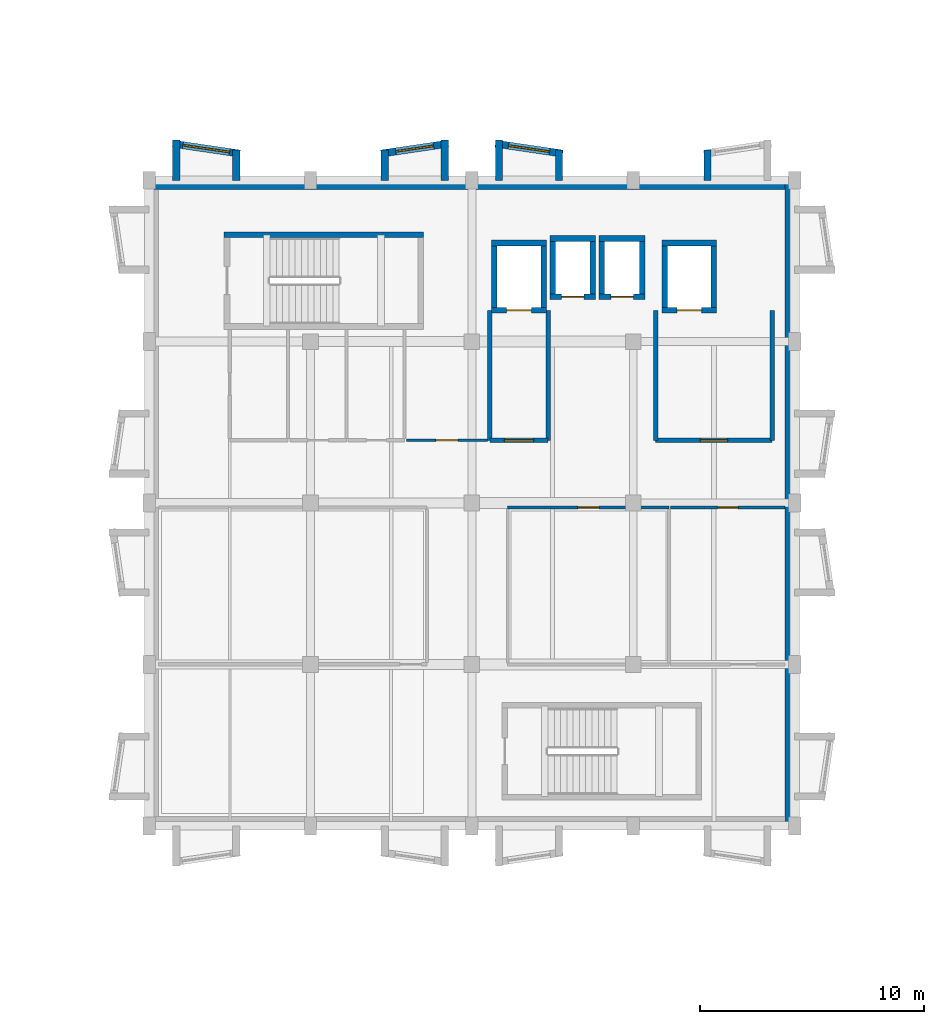
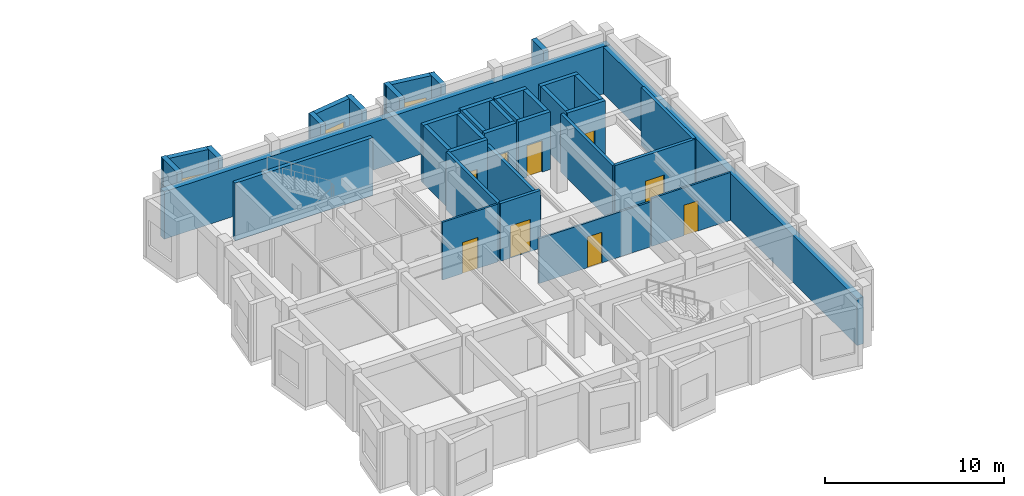
# One storey, part 91 of 99: 38 walls, 9 doors, 3 windows, 12 openings.
"""IFC4 building model written with IfcOpenShell, lengths in metres."""

from ifc_helpers import new_model, si_unit, direction, frame, frame_2d, origin, place, context, subcontext, project, spatial, rectangle, extrude, material, layer, layer_set, type_object, element, fill, save


model = new_model("IFC4")

# Units and contexts
model_context = context("Model", 3, precision=1e-05, world=origin(), true_north=direction((0.0, 1.0)))
body_context = subcontext(model_context, "Body", "Model", "MODEL_VIEW")
ifc_project = project(units=[si_unit("LENGTHUNIT", "METRE"), si_unit("AREAUNIT", "SQUARE_METRE"), si_unit("VOLUMEUNIT", "CUBIC_METRE"), si_unit("PLANEANGLEUNIT", "RADIAN"), si_unit("MASSUNIT", "GRAM", prefix="KILO")], contexts=[model_context])

# Site, building, storey
site_placement = place(None, origin())
site = spatial("IfcSite", under=ifc_project, at=site_placement, CompositionType="ELEMENT")
building_placement = place(site_placement, origin())
building = spatial("IfcBuilding", under=site, at=building_placement, Name="Bramveld Media Centre", CompositionType="ELEMENT")
storey_placement = place(building_placement, frame((0.0, 0.0, 13.800048828125)))
storey = spatial("IfcBuildingStorey", under=building, at=storey_placement, Name="L03", CompositionType="ELEMENT", Elevation=13.800048828125)

# Wall
ifc_material_1 = material(Name="Concrete C40/50 stair & lift core wall", Category="concrete")
ifc_layer_1 = layer(ifc_material_1, 0.25)
ifc_layer_set_1 = layer_set([ifc_layer_1], Name="Concrete C40/50 stair & lift core wall")
wall_type_1 = type_object("IfcWallType", Name="CWALL-SHEAR-250", PredefinedType="SHEAR", material=ifc_layer_set_1)
wall_1_placement = place(storey_placement, frame((143.449951171875, 109.574951171875, 0.0), z_axis=(0.0, 0.0, 1.0), x_axis=(-1.0, 0.0, 0.0)))
element("IfcWall", 1, at=wall_1_placement, inside=storey, type_object=wall_type_1, Name="ST-01 L03 stair core shear wall N", PredefinedType="SHEAR", context=body_context, shape_type="SweptSolid", body=[
    extrude(rectangle(XDim=8.89990234375, YDim=0.25, at=frame_2d((4.449951171875, 0.0))), origin(), (0.0, 0.0, 1.0), 3.949951171875),
])

# Wall, opening, door
wall_2_placement = place(storey_placement, frame((146.47509765625, 106.199951171875, 0.0), z_axis=(0.0, 0.0, 1.0), x_axis=(1.0, 0.0, 0.0)))
wall_2 = element("IfcWall", 2, at=wall_2_placement, inside=storey, type_object=wall_type_1, Name="FL-01 L03 lift shaft wall S", PredefinedType="SHEAR", context=body_context, shape_type="SweptSolid", body=[
    extrude(rectangle(XDim=2.449951171875, YDim=0.25, at=frame_2d((1.22509765625, 0.0))), origin(), (0.0, 0.0, 1.0), 3.949951171875),
])
opening_1_placement = place(wall_2_placement, frame((0.675048828125, 0.0, 0.0)))
opening_1 = element("IfcOpeningElement", 3, at=opening_1_placement, cuts=wall_2, Name="Opening LD-01-01-L03", PredefinedType="OPENING", context=body_context, shape_type="SweptSolid", body=[
    extrude(rectangle(XDim=1.10009765625, YDim=2.14990234375, at=frame_2d((0.550048828125, 1.074951171875))), frame((0.0, 0.136962890625, 0.0), z_axis=(0.0, -1.0, 0.0), x_axis=(1.0, 0.0, 0.0)), (0.0, 0.0, 1.0), 0.27392578125),
])
ifc_material_2 = material(Name="Brushed stainless steel automatic fire-rated sliding lift landing door", Category="steel")
door_type_1 = type_object("IfcDoorType", Name="LD-TYPE-01", OperationType="SLIDING_TO_LEFT", PredefinedType="DOOR", material=ifc_material_2)
door_1_placement = place(opening_1_placement, origin())
door_1 = element("IfcDoor", 4, at=door_1_placement, inside=storey, type_object=door_type_1, Name="FL-01 L03 sliding lift landing door", OperationType="SLIDING_TO_LEFT", OverallHeight=2.14990234375, OverallWidth=1.10009765625, PredefinedType="DOOR", context=body_context, shape_type="SweptSolid", body=[
    extrude(rectangle(XDim=1.10009765625, YDim=2.14990234375, at=frame_2d((0.550048828125, 1.074951171875))), frame((0.0, 0.02490234375, 0.0), z_axis=(0.0, -1.0, 0.0), x_axis=(1.0, 0.0, 0.0)), (0.0, 0.0, 1.0), 0.050048828125),
])
fill(opening_1, door_1)

# Walls
wall_3_placement = place(storey_placement, frame((148.925048828125, 109.199951171875, 0.0), z_axis=(0.0, 0.0, 1.0), x_axis=(-1.0, 0.0, 0.0)))
element("IfcWall", 5, at=wall_3_placement, inside=storey, type_object=wall_type_1, Name="FL-01 L03 lift shaft wall N", PredefinedType="SHEAR", context=body_context, shape_type="SweptSolid", body=[
    extrude(rectangle(XDim=2.449951171875, YDim=0.25, at=frame_2d((1.22509765625, 0.0))), origin(), (0.0, 0.0, 1.0), 3.949951171875),
])
for number, where, z_axis, x_axis, name in (
    (6, (146.60009765625, 109.199951171875, 0.0), (0.0, 0.0, 1.0), (0.0, -1.0, 0.0), "FL-01 L03 lift shaft wall W"),
    (7, (148.800048828125, 106.199951171875, 0.0), (0.0, 0.0, 1.0), (0.0, 1.0, 0.0), "FL-01 L03 lift shaft wall E"),
):
    element("IfcWall", number, at=place(storey_placement, frame(where, z_axis=z_axis, x_axis=x_axis)), inside=storey, type_object=wall_type_1, Name=name, PredefinedType="SHEAR", context=body_context, shape_type="SweptSolid", body=[
        extrude(rectangle(XDim=3.0, YDim=0.25, at=frame_2d((1.5, 0.0))), origin(), (0.0, 0.0, 1.0), 3.949951171875),
    ])

# Wall, opening, door
wall_4_placement = place(storey_placement, frame((154.074951171875, 106.199951171875, 0.0), z_axis=(0.0, 0.0, 1.0), x_axis=(1.0, 0.0, 0.0)))
wall_4 = element("IfcWall", 8, at=wall_4_placement, inside=storey, type_object=wall_type_1, Name="FL-02 L03 lift shaft wall S", PredefinedType="SHEAR", context=body_context, shape_type="SweptSolid", body=[
    extrude(rectangle(XDim=2.449951171875, YDim=0.25, at=frame_2d((1.22509765625, 0.0))), origin(), (0.0, 0.0, 1.0), 3.949951171875),
])
opening_2_placement = place(wall_4_placement, frame((0.675048828125, 0.0, 0.0)))
opening_2 = element("IfcOpeningElement", 9, at=opening_2_placement, cuts=wall_4, Name="Opening LD-01-02-L03", PredefinedType="OPENING", context=body_context, shape_type="SweptSolid", body=[
    extrude(rectangle(XDim=1.10009765625, YDim=2.14990234375, at=frame_2d((0.550048828125, 1.074951171875))), frame((0.0, 0.136962890625, 0.0), z_axis=(0.0, -1.0, 0.0), x_axis=(1.0, 0.0, 0.0)), (0.0, 0.0, 1.0), 0.27392578125),
])
door_2_placement = place(opening_2_placement, origin())
door_2 = element("IfcDoor", 10, at=door_2_placement, inside=storey, type_object=door_type_1, Name="FL-02 L03 sliding lift landing door", OperationType="SLIDING_TO_LEFT", OverallHeight=2.14990234375, OverallWidth=1.10009765625, PredefinedType="DOOR", context=body_context, shape_type="SweptSolid", body=[
    extrude(rectangle(XDim=1.10009765625, YDim=2.14990234375, at=frame_2d((0.550048828125, 1.074951171875))), frame((0.0, 0.02490234375, 0.0), z_axis=(0.0, -1.0, 0.0), x_axis=(1.0, 0.0, 0.0)), (0.0, 0.0, 1.0), 0.050048828125),
])
fill(opening_2, door_2)

# Walls
wall_5_placement = place(storey_placement, frame((156.52490234375, 109.199951171875, 0.0), z_axis=(0.0, 0.0, 1.0), x_axis=(-1.0, 0.0, 0.0)))
element("IfcWall", 11, at=wall_5_placement, inside=storey, type_object=wall_type_1, Name="FL-02 L03 lift shaft wall N", PredefinedType="SHEAR", context=body_context, shape_type="SweptSolid", body=[
    extrude(rectangle(XDim=2.449951171875, YDim=0.25, at=frame_2d((1.22509765625, 0.0))), origin(), (0.0, 0.0, 1.0), 3.949951171875),
])
for number, where, z_axis, x_axis, name in (
    (12, (154.199951171875, 109.199951171875, 0.0), (0.0, 0.0, 1.0), (0.0, -1.0, 0.0), "FL-02 L03 lift shaft wall W"),
    (13, (156.39990234375, 106.199951171875, 0.0), (0.0, 0.0, 1.0), (0.0, 1.0, 0.0), "FL-02 L03 lift shaft wall E"),
):
    element("IfcWall", number, at=place(storey_placement, frame(where, z_axis=z_axis, x_axis=x_axis)), inside=storey, type_object=wall_type_1, Name=name, PredefinedType="SHEAR", context=body_context, shape_type="SweptSolid", body=[
        extrude(rectangle(XDim=3.0, YDim=0.25, at=frame_2d((1.5, 0.0))), origin(), (0.0, 0.0, 1.0), 3.949951171875),
    ])

# Wall, opening, door
wall_6_placement = place(storey_placement, frame((149.074951171875, 106.800048828125, 0.0), z_axis=(0.0, 0.0, 1.0), x_axis=(1.0, 0.0, 0.0)))
wall_6 = element("IfcWall", 14, at=wall_6_placement, inside=storey, type_object=wall_type_1, Name="PL-01 L03 lift shaft wall S", PredefinedType="SHEAR", context=body_context, shape_type="SweptSolid", body=[
    extrude(rectangle(XDim=2.050048828125, YDim=0.25, at=frame_2d((1.02490234375, 0.0))), origin(), (0.0, 0.0, 1.0), 3.949951171875),
])
opening_3_placement = place(wall_6_placement, frame((0.52490234375, 0.0, 0.0)))
opening_3 = element("IfcOpeningElement", 15, at=opening_3_placement, cuts=wall_6, Name="Opening LD-02-01-L03", PredefinedType="OPENING", context=body_context, shape_type="SweptSolid", body=[
    extrude(rectangle(XDim=1.0, YDim=2.14990234375, at=frame_2d((0.5, 1.074951171875))), frame((0.0, 0.136962890625, 0.0), z_axis=(0.0, -1.0, 0.0), x_axis=(1.0, 0.0, 0.0)), (0.0, 0.0, 1.0), 0.27392578125),
])
ifc_material_3 = material(Name="Brushed stainless steel automatic fire-rated sliding lift landing door", Category="steel")
door_type_2 = type_object("IfcDoorType", Name="LD-TYPE-02", OperationType="SLIDING_TO_LEFT", PredefinedType="DOOR", material=ifc_material_3)
door_3_placement = place(opening_3_placement, origin())
door_3 = element("IfcDoor", 16, at=door_3_placement, inside=storey, type_object=door_type_2, Name="PL-01 L03 sliding lift landing door", OperationType="SLIDING_TO_LEFT", OverallHeight=2.14990234375, OverallWidth=1.0, PredefinedType="DOOR", context=body_context, shape_type="SweptSolid", body=[
    extrude(rectangle(XDim=1.0, YDim=2.14990234375, at=frame_2d((0.5, 1.074951171875))), frame((0.0, 0.02490234375, 0.0), z_axis=(0.0, -1.0, 0.0), x_axis=(1.0, 0.0, 0.0)), (0.0, 0.0, 1.0), 0.050048828125),
])
fill(opening_3, door_3)

# Walls
wall_7_placement = place(storey_placement, frame((151.125, 109.39990234375, 0.0), z_axis=(0.0, 0.0, 1.0), x_axis=(-1.0, 0.0, 0.0)))
element("IfcWall", 17, at=wall_7_placement, inside=storey, type_object=wall_type_1, Name="PL-01 L03 lift shaft wall N", PredefinedType="SHEAR", context=body_context, shape_type="SweptSolid", body=[
    extrude(rectangle(XDim=2.050048828125, YDim=0.25, at=frame_2d((1.02490234375, 0.0))), origin(), (0.0, 0.0, 1.0), 3.949951171875),
])
for number, where, z_axis, x_axis, name in (
    (18, (149.199951171875, 109.39990234375, 0.0), (0.0, 0.0, 1.0), (0.0, -1.0, 0.0), "PL-01 L03 lift shaft wall W"),
    (19, (151.0, 106.800048828125, 0.0), (0.0, 0.0, 1.0), (0.0, 1.0, 0.0), "PL-01 L03 lift shaft wall E"),
):
    element("IfcWall", number, at=place(storey_placement, frame(where, z_axis=z_axis, x_axis=x_axis)), inside=storey, type_object=wall_type_1, Name=name, PredefinedType="SHEAR", context=body_context, shape_type="SweptSolid", body=[
        extrude(rectangle(XDim=2.599853515625, YDim=0.25, at=frame_2d((1.2998046875, 0.0))), origin(), (0.0, 0.0, 1.0), 3.949951171875),
    ])

# Wall, opening, door
wall_8_placement = place(storey_placement, frame((151.27490234375, 106.800048828125, 0.0), z_axis=(0.0, 0.0, 1.0), x_axis=(1.0, 0.0, 0.0)))
wall_8 = element("IfcWall", 20, at=wall_8_placement, inside=storey, type_object=wall_type_1, Name="PL-02 L03 lift shaft wall S", PredefinedType="SHEAR", context=body_context, shape_type="SweptSolid", body=[
    extrude(rectangle(XDim=2.050048828125, YDim=0.25, at=frame_2d((1.02490234375, 0.0))), origin(), (0.0, 0.0, 1.0), 3.949951171875),
])
opening_4_placement = place(wall_8_placement, frame((0.52490234375, 0.0, 0.0)))
opening_4 = element("IfcOpeningElement", 21, at=opening_4_placement, cuts=wall_8, Name="Opening LD-02-02-L03", PredefinedType="OPENING", context=body_context, shape_type="SweptSolid", body=[
    extrude(rectangle(XDim=1.0, YDim=2.14990234375, at=frame_2d((0.5, 1.074951171875))), frame((0.0, 0.136962890625, 0.0), z_axis=(0.0, -1.0, 0.0), x_axis=(1.0, 0.0, 0.0)), (0.0, 0.0, 1.0), 0.27392578125),
])
door_4_placement = place(opening_4_placement, origin())
door_4 = element("IfcDoor", 22, at=door_4_placement, inside=storey, type_object=door_type_2, Name="PL-02 L03 sliding lift landing door", OperationType="SLIDING_TO_LEFT", OverallHeight=2.14990234375, OverallWidth=1.0, PredefinedType="DOOR", context=body_context, shape_type="SweptSolid", body=[
    extrude(rectangle(XDim=1.0, YDim=2.14990234375, at=frame_2d((0.5, 1.074951171875))), frame((0.0, 0.02490234375, 0.0), z_axis=(0.0, -1.0, 0.0), x_axis=(1.0, 0.0, 0.0)), (0.0, 0.0, 1.0), 0.050048828125),
])
fill(opening_4, door_4)

# Walls
wall_9_placement = place(storey_placement, frame((153.324951171875, 109.39990234375, 0.0), z_axis=(0.0, 0.0, 1.0), x_axis=(-1.0, 0.0, 0.0)))
element("IfcWall", 23, at=wall_9_placement, inside=storey, type_object=wall_type_1, Name="PL-02 L03 lift shaft wall N", PredefinedType="SHEAR", context=body_context, shape_type="SweptSolid", body=[
    extrude(rectangle(XDim=2.050048828125, YDim=0.25, at=frame_2d((1.02490234375, 0.0))), origin(), (0.0, 0.0, 1.0), 3.949951171875),
])
for number, where, z_axis, x_axis, name in (
    (24, (151.39990234375, 109.39990234375, 0.0), (0.0, 0.0, 1.0), (0.0, -1.0, 0.0), "PL-02 L03 lift shaft wall W"),
    (25, (153.199951171875, 106.800048828125, 0.0), (0.0, 0.0, 1.0), (0.0, 1.0, 0.0), "PL-02 L03 lift shaft wall E"),
):
    element("IfcWall", number, at=place(storey_placement, frame(where, z_axis=z_axis, x_axis=x_axis)), inside=storey, type_object=wall_type_1, Name=name, PredefinedType="SHEAR", context=body_context, shape_type="SweptSolid", body=[
        extrude(rectangle(XDim=2.599853515625, YDim=0.25, at=frame_2d((1.2998046875, 0.0))), origin(), (0.0, 0.0, 1.0), 3.949951171875),
    ])
ifc_material_4 = material(Name="Flemish red-brown clay facing brick cavity wall with concrete C35/45 inner leaf", Category="masonry")
ifc_layer_2 = layer(ifc_material_4, 0.419921875)
ifc_layer_set_2 = layer_set([ifc_layer_2], Name="Flemish red-brown clay facing brick cavity wall with concrete C35/45 inner leaf")
wall_type_2 = type_object("IfcWallType", Name="EW-BRK-420", PredefinedType="SOLIDWALL", material=ifc_layer_set_2)
wall_10_placement = place(storey_placement, frame((159.7900390625, 112.0, 0.0), z_axis=(0.0, 0.0, 1.0), x_axis=(0.0, -1.0, 0.0)))
element("IfcWall", 26, at=wall_10_placement, inside=storey, type_object=wall_type_2, Name="V7 L03 E facing brick exterior wall", PredefinedType="SOLIDWALL", context=body_context, shape_type="SweptSolid", body=[
    extrude(rectangle(XDim=28.800048828125, YDim=0.419921875, at=frame_2d((14.39990234375, 0.0))), origin(), (0.0, 0.0, 1.0), 3.204833984375),
])
wall_11_placement = place(storey_placement, frame((131.199951171875, 111.7900390625, 0.0), z_axis=(0.0, 0.0, 1.0), x_axis=(1.0, 0.0, 0.0)))
element("IfcWall", 27, at=wall_11_placement, inside=storey, type_object=wall_type_2, Name="V7 L03 N facing brick exterior wall", PredefinedType="SOLIDWALL", context=body_context, shape_type="SweptSolid", body=[
    extrude(rectangle(XDim=28.800048828125, YDim=0.419921875, at=frame_2d((14.39990234375, 0.0))), origin(), (0.0, 0.0, 1.0), 3.244873046875),
])

# Wall, opening, window
ifc_material_5 = material(Name="Precast concrete C40/50 & brick-slip faceted bay cheek wall", Category="masonry")
ifc_layer_3 = layer(ifc_material_5, 0.320068359375)
ifc_layer_set_3 = layer_set([ifc_layer_3], Name="Precast concrete C40/50 & brick-slip faceted bay cheek wall")
wall_type_3 = type_object("IfcWallType", Name="EW-FACET-320", PredefinedType="SOLIDWALL", material=ifc_layer_set_3)
wall_12_placement = place(storey_placement, frame((135.25, 113.18994140625, 0.0), z_axis=(0.0, 0.0, 1.0), x_axis=(-0.989266910268, 0.146119746268, 0.0)))
wall_12 = element("IfcWall", 28, at=wall_12_placement, inside=storey, type_object=wall_type_3, Name="V7 L03 N angled faceted bay front wall 1", PredefinedType="SOLIDWALL", context=body_context, shape_type="SweptSolid", body=[
    extrude(rectangle(XDim=3.032470703125, YDim=0.320068359375, at=frame_2d((1.51611328125, 0.0))), origin(), (0.0, 0.0, 1.0), 3.929931640625),
])
opening_5_placement = place(wall_12_placement, frame((0.46630859375, 0.0, 0.89990234375)))
opening_5 = element("IfcOpeningElement", 29, at=opening_5_placement, cuts=wall_12, Name="Opening W-28", PredefinedType="OPENING", context=body_context, shape_type="SweptSolid", body=[
    extrude(rectangle(XDim=2.10009765625, YDim=1.449951171875, at=frame_2d((1.050048828125, 0.72509765625))), frame((0.0, 0.171875, 0.0), z_axis=(0.0, -1.0, 0.0), x_axis=(1.0, 0.0, 0.0)), (0.0, 0.0, 1.0), 0.343994140625),
])
ifc_material_6 = material(Name="Thermally broken anodized bronze aluminium frame with triple acoustic glazing", Category="aluminium")
window_type_1 = type_object("IfcWindowType", Name="WIN-FAC-28", PartitioningType="SINGLE_PANEL", PredefinedType="WINDOW", material=ifc_material_6)
window_1_placement = place(opening_5_placement, origin())
window_1 = element("IfcWindow", 30, at=window_1_placement, inside=storey, type_object=window_type_1, Name="V7 L03 N faceted bay window 1", OverallHeight=1.449951171875, OverallWidth=2.10009765625, PartitioningType="SINGLE_PANEL", PredefinedType="WINDOW", context=body_context, shape_type="SweptSolid", body=[
    extrude(rectangle(XDim=2.10009765625, YDim=1.449951171875, at=frame_2d((1.050048828125, 0.72509765625))), frame((0.0, 0.030029296875, 0.0), z_axis=(0.0, -1.0, 0.0), x_axis=(1.0, 0.0, 0.0)), (0.0, 0.0, 1.0), 0.06005859375),
])
fill(opening_5, window_1)

# Walls
wall_13_placement = place(storey_placement, frame((132.409912109375, 112.0, 0.0), z_axis=(0.0, 0.0, 1.0), x_axis=(0.0, 1.0, 0.0)))
element("IfcWall", 31, at=wall_13_placement, inside=storey, type_object=wall_type_3, Name="V7 L03 N faceted bay cheek wall", PredefinedType="SOLIDWALL", context=body_context, shape_type="SweptSolid", body=[
    extrude(rectangle(XDim=1.79296875, YDim=0.320068359375, at=frame_2d((0.896484375, 0.0))), origin(), (0.0, 0.0, 1.0), 3.929931640625),
])
wall_14_placement = place(storey_placement, frame((135.090087890625, 112.0, 0.0), z_axis=(0.0, 0.0, 1.0), x_axis=(0.0, 1.0, 0.0)))
element("IfcWall", 32, at=wall_14_placement, inside=storey, type_object=wall_type_3, Name="V7 L03 N faceted bay cheek wall", PredefinedType="SOLIDWALL", context=body_context, shape_type="SweptSolid", body=[
    extrude(rectangle(XDim=1.35009765625, YDim=0.320068359375, at=frame_2d((0.675048828125, 0.0))), origin(), (0.0, 0.0, 1.0), 3.929931640625),
])

# Wall, opening, window
wall_15_placement = place(storey_placement, frame((144.550048828125, 113.633056640625, 0.0), z_axis=(0.0, 0.0, 1.0), x_axis=(-0.989266910268, -0.146119746268, 0.0)))
wall_15 = element("IfcWall", 33, at=wall_15_placement, inside=storey, type_object=wall_type_3, Name="V7 L03 N angled faceted bay front wall 2", PredefinedType="SOLIDWALL", context=body_context, shape_type="SweptSolid", body=[
    extrude(rectangle(XDim=3.032470703125, YDim=0.320068359375, at=frame_2d((1.51611328125, 0.0))), origin(), (0.0, 0.0, 1.0), 3.929931640625),
])
opening_6_placement = place(wall_15_placement, frame((0.666259765625, 0.0, 0.89990234375)))
opening_6 = element("IfcOpeningElement", 34, at=opening_6_placement, cuts=wall_15, Name="Opening W-29", PredefinedType="OPENING", context=body_context, shape_type="SweptSolid", body=[
    extrude(rectangle(XDim=1.699951171875, YDim=1.60009765625, at=frame_2d((0.85009765625, 0.800048828125))), frame((0.0, 0.171875, 0.0), z_axis=(0.0, -1.0, 0.0), x_axis=(1.0, 0.0, 0.0)), (0.0, 0.0, 1.0), 0.343994140625),
])
ifc_material_7 = material(Name="Thermally broken anodized bronze aluminium frame with triple acoustic glazing", Category="aluminium")
window_type_2 = type_object("IfcWindowType", Name="WIN-FAC-29", PartitioningType="SINGLE_PANEL", PredefinedType="WINDOW", material=ifc_material_7)
window_2_placement = place(opening_6_placement, origin())
window_2 = element("IfcWindow", 35, at=window_2_placement, inside=storey, type_object=window_type_2, Name="V7 L03 N faceted bay window 2", OverallHeight=1.60009765625, OverallWidth=1.699951171875, PartitioningType="SINGLE_PANEL", PredefinedType="WINDOW", context=body_context, shape_type="SweptSolid", body=[
    extrude(rectangle(XDim=1.699951171875, YDim=1.60009765625, at=frame_2d((0.85009765625, 0.800048828125))), frame((0.0, 0.030029296875, 0.0), z_axis=(0.0, -1.0, 0.0), x_axis=(1.0, 0.0, 0.0)), (0.0, 0.0, 1.0), 0.06005859375),
])
fill(opening_6, window_2)

# Walls
wall_16_placement = place(storey_placement, frame((141.7099609375, 112.0, 0.0), z_axis=(0.0, 0.0, 1.0), x_axis=(0.0, 1.0, 0.0)))
element("IfcWall", 36, at=wall_16_placement, inside=storey, type_object=wall_type_3, Name="V7 L03 N faceted bay cheek wall", PredefinedType="SOLIDWALL", context=body_context, shape_type="SweptSolid", body=[
    extrude(rectangle(XDim=1.35009765625, YDim=0.320068359375, at=frame_2d((0.675048828125, 0.0))), origin(), (0.0, 0.0, 1.0), 3.929931640625),
])
wall_17_placement = place(storey_placement, frame((144.389892578125, 112.0, 0.0), z_axis=(0.0, 0.0, 1.0), x_axis=(0.0, 1.0, 0.0)))
element("IfcWall", 37, at=wall_17_placement, inside=storey, type_object=wall_type_3, Name="V7 L03 N faceted bay cheek wall", PredefinedType="SOLIDWALL", context=body_context, shape_type="SweptSolid", body=[
    extrude(rectangle(XDim=1.79296875, YDim=0.320068359375, at=frame_2d((0.896484375, 0.0))), origin(), (0.0, 0.0, 1.0), 3.929931640625),
])

# Wall, opening, window
wall_18_placement = place(storey_placement, frame((149.64990234375, 113.18994140625, 0.0), z_axis=(0.0, 0.0, 1.0), x_axis=(-0.989266910268, 0.146119746268, 0.0)))
wall_18 = element("IfcWall", 38, at=wall_18_placement, inside=storey, type_object=wall_type_3, Name="V7 L03 N angled faceted bay front wall 3", PredefinedType="SOLIDWALL", context=body_context, shape_type="SweptSolid", body=[
    extrude(rectangle(XDim=3.032470703125, YDim=0.320068359375, at=frame_2d((1.51611328125, 0.0))), origin(), (0.0, 0.0, 1.0), 3.929931640625),
])
opening_7_placement = place(wall_18_placement, frame((0.59130859375, 0.0, 0.89990234375)))
opening_7 = element("IfcOpeningElement", 39, at=opening_7_placement, cuts=wall_18, Name="Opening W-30", PredefinedType="OPENING", context=body_context, shape_type="SweptSolid", body=[
    extrude(rectangle(XDim=1.85009765625, YDim=1.60009765625, at=frame_2d((0.925048828125, 0.800048828125))), frame((0.0, 0.171875, 0.0), z_axis=(0.0, -1.0, 0.0), x_axis=(1.0, 0.0, 0.0)), (0.0, 0.0, 1.0), 0.343994140625),
])
ifc_material_8 = material(Name="Thermally broken anodized bronze aluminium frame with triple acoustic glazing", Category="aluminium")
window_type_3 = type_object("IfcWindowType", Name="WIN-FAC-30", PartitioningType="SINGLE_PANEL", PredefinedType="WINDOW", material=ifc_material_8)
window_3_placement = place(opening_7_placement, origin())
window_3 = element("IfcWindow", 40, at=window_3_placement, inside=storey, type_object=window_type_3, Name="V7 L03 N faceted bay window 3", OverallHeight=1.60009765625, OverallWidth=1.85009765625, PartitioningType="SINGLE_PANEL", PredefinedType="WINDOW", context=body_context, shape_type="SweptSolid", body=[
    extrude(rectangle(XDim=1.85009765625, YDim=1.60009765625, at=frame_2d((0.925048828125, 0.800048828125))), frame((0.0, 0.030029296875, 0.0), z_axis=(0.0, -1.0, 0.0), x_axis=(1.0, 0.0, 0.0)), (0.0, 0.0, 1.0), 0.06005859375),
])
fill(opening_7, window_3)

# Walls
wall_19_placement = place(storey_placement, frame((146.81005859375, 112.0, 0.0), z_axis=(0.0, 0.0, 1.0), x_axis=(0.0, 1.0, 0.0)))
element("IfcWall", 41, at=wall_19_placement, inside=storey, type_object=wall_type_3, Name="V7 L03 N faceted bay cheek wall", PredefinedType="SOLIDWALL", context=body_context, shape_type="SweptSolid", body=[
    extrude(rectangle(XDim=1.79296875, YDim=0.320068359375, at=frame_2d((0.896484375, 0.0))), origin(), (0.0, 0.0, 1.0), 3.929931640625),
])
for number, where, z_axis, x_axis, name in (
    (42, (149.489990234375, 112.0, 0.0), (0.0, 0.0, 1.0), (0.0, 1.0, 0.0), "V7 L03 N faceted bay cheek wall"),
    (43, (156.110107421875, 112.0, 0.0), (0.0, 0.0, 1.0), (0.0, 1.0, 0.0), "V7 L03 N faceted bay cheek wall"),
):
    element("IfcWall", number, at=place(storey_placement, frame(where, z_axis=z_axis, x_axis=x_axis)), inside=storey, type_object=wall_type_3, Name=name, PredefinedType="SOLIDWALL", context=body_context, shape_type="SweptSolid", body=[
        extrude(rectangle(XDim=1.35009765625, YDim=0.320068359375, at=frame_2d((0.675048828125, 0.0))), origin(), (0.0, 0.0, 1.0), 3.929931640625),
    ])

# Wall, opening, door
ifc_material_9 = material(Name="Acoustic calcium-silicate & mineral-wool compartment partition", Category="masonry")
ifc_layer_4 = layer(ifc_material_9, 0.199951171875)
ifc_layer_set_4 = layer_set([ifc_layer_4], Name="Acoustic calcium-silicate & mineral-wool compartment partition")
wall_type_4 = type_object("IfcWallType", Name="IW-ACOU-200", PredefinedType="PARTITIONING", material=ifc_layer_set_4)
wall_20_placement = place(storey_placement, frame((146.39990234375, 100.39990234375, 0.0), z_axis=(0.0, 0.0, 1.0), x_axis=(1.0, 0.0, 0.0)))
wall_20 = element("IfcWall", 44, at=wall_20_placement, inside=storey, type_object=wall_type_4, Name="FL-01 L03 EI 120 firefighting lift lobby wall S", PredefinedType="PARTITIONING", context=body_context, shape_type="SweptSolid", body=[
    extrude(rectangle(XDim=2.60009765625, YDim=0.199951171875, at=frame_2d((1.300048828125, 0.0))), origin(), (0.0, 0.0, 1.0), 3.949951171875),
])
opening_8_placement = place(wall_20_placement, frame((0.64990234375, 0.0, 0.0)))
opening_8 = element("IfcOpeningElement", 45, at=opening_8_placement, cuts=wall_20, Name="Opening FD-01-L03", PredefinedType="OPENING", context=body_context, shape_type="SweptSolid", body=[
    extrude(rectangle(XDim=1.300048828125, YDim=2.199951171875, at=frame_2d((0.64990234375, 1.10009765625))), frame((0.0, 0.11181640625, 0.0), z_axis=(0.0, -1.0, 0.0), x_axis=(1.0, 0.0, 0.0)), (0.0, 0.0, 1.0), 0.223876953125),
])
ifc_material_10 = material(Name="Painted galvanized steel acoustic fire door with intumescent smoke seals", Category="steel")
door_type_3 = type_object("IfcDoorType", Name="DR-FFL-1300", OperationType="NOTDEFINED", PredefinedType="DOOR", material=ifc_material_10)
door_5_placement = place(opening_8_placement, origin())
door_5 = element("IfcDoor", 46, at=door_5_placement, inside=storey, type_object=door_type_3, Name="FL-01 L03 firefighting lobby smoke-control door", OperationType="SINGLE_SWING_RIGHT", OverallHeight=2.199951171875, OverallWidth=1.300048828125, PredefinedType="DOOR", context=body_context, shape_type="SweptSolid", body=[
    extrude(rectangle(XDim=1.300048828125, YDim=2.199951171875, at=frame_2d((0.64990234375, 1.10009765625))), frame((0.0, 0.02490234375, 0.0), z_axis=(0.0, -1.0, 0.0), x_axis=(1.0, 0.0, 0.0)), (0.0, 0.0, 1.0), 0.050048828125),
])
fill(opening_8, door_5)

# Walls
wall_21_placement = place(storey_placement, frame((146.39990234375, 106.199951171875, 0.0), z_axis=(0.0, 0.0, 1.0), x_axis=(0.0, -1.0, 0.0)))
element("IfcWall", 47, at=wall_21_placement, inside=storey, type_object=wall_type_4, Name="FL-01 L03 EI 120 firefighting lift lobby wall W", PredefinedType="PARTITIONING", context=body_context, shape_type="SweptSolid", body=[
    extrude(rectangle(XDim=5.800048828125, YDim=0.199951171875, at=frame_2d((2.89990234375, 0.0))), origin(), (0.0, 0.0, 1.0), 3.949951171875),
])
wall_22_placement = place(storey_placement, frame((149.0, 100.39990234375, 0.0), z_axis=(0.0, 0.0, 1.0), x_axis=(0.0, 1.0, 0.0)))
element("IfcWall", 48, at=wall_22_placement, inside=storey, type_object=wall_type_4, Name="FL-01 L03 EI 120 firefighting lift lobby wall E", PredefinedType="PARTITIONING", context=body_context, shape_type="SweptSolid", body=[
    extrude(rectangle(XDim=5.800048828125, YDim=0.199951171875, at=frame_2d((2.89990234375, 0.0))), origin(), (0.0, 0.0, 1.0), 3.52490234375),
])

# Wall, opening, door
wall_23_placement = place(storey_placement, frame((153.800048828125, 100.39990234375, 0.0), z_axis=(0.0, 0.0, 1.0), x_axis=(1.0, 0.0, 0.0)))
wall_23 = element("IfcWall", 49, at=wall_23_placement, inside=storey, type_object=wall_type_4, Name="FL-02 L03 EI 120 firefighting lift lobby wall S", PredefinedType="PARTITIONING", context=body_context, shape_type="SweptSolid", body=[
    extrude(rectangle(XDim=5.199951171875, YDim=0.199951171875, at=frame_2d((2.60009765625, 0.0))), origin(), (0.0, 0.0, 1.0), 3.949951171875),
])
opening_9_placement = place(wall_23_placement, frame((1.989990234375, 0.0, 0.0)))
opening_9 = element("IfcOpeningElement", 50, at=opening_9_placement, cuts=wall_23, Name="Opening FD-02-L03", PredefinedType="OPENING", context=body_context, shape_type="SweptSolid", body=[
    extrude(rectangle(XDim=1.219970703125, YDim=2.199951171875, at=frame_2d((0.60986328125, 1.10009765625))), frame((0.0, 0.11181640625, 0.0), z_axis=(0.0, -1.0, 0.0), x_axis=(1.0, 0.0, 0.0)), (0.0, 0.0, 1.0), 0.223876953125),
])
ifc_material_11 = material(Name="Painted galvanized steel acoustic fire door with intumescent smoke seals", Category="steel")
door_type_4 = type_object("IfcDoorType", Name="DR-FFL-1220", OperationType="NOTDEFINED", PredefinedType="DOOR", material=ifc_material_11)
door_6_placement = place(opening_9_placement, origin())
door_6 = element("IfcDoor", 51, at=door_6_placement, inside=storey, type_object=door_type_4, Name="FL-02 L03 firefighting lobby smoke-control door", OperationType="SINGLE_SWING_RIGHT", OverallHeight=2.199951171875, OverallWidth=1.219970703125, PredefinedType="DOOR", context=body_context, shape_type="SweptSolid", body=[
    extrude(rectangle(XDim=1.219970703125, YDim=2.199951171875, at=frame_2d((0.60986328125, 1.10009765625))), frame((0.0, 0.02490234375, 0.0), z_axis=(0.0, -1.0, 0.0), x_axis=(1.0, 0.0, 0.0)), (0.0, 0.0, 1.0), 0.050048828125),
])
fill(opening_9, door_6)

# Walls
for number, where, z_axis, x_axis, name in (
    (52, (153.800048828125, 106.199951171875, 0.0), (0.0, 0.0, 1.0), (0.0, -1.0, 0.0), "FL-02 L03 EI 120 firefighting lift lobby wall W"),
    (53, (159.0, 100.39990234375, 0.0), (0.0, 0.0, 1.0), (0.0, 1.0, 0.0), "FL-02 L03 EI 120 firefighting lift lobby wall E"),
):
    element("IfcWall", number, at=place(storey_placement, frame(where, z_axis=z_axis, x_axis=x_axis)), inside=storey, type_object=wall_type_4, Name=name, PredefinedType="PARTITIONING", context=body_context, shape_type="SweptSolid", body=[
        extrude(rectangle(XDim=5.800048828125, YDim=0.199951171875, at=frame_2d((2.89990234375, 0.0))), origin(), (0.0, 0.0, 1.0), 3.949951171875),
    ])

# Wall, opening, door
ifc_material_12 = material(Name="Lightweight acoustic stud partition", Category="gypsum")
ifc_layer_5 = layer(ifc_material_12, 0.125)
ifc_layer_set_5 = layer_set([ifc_layer_5], Name="Lightweight acoustic stud partition")
wall_type_5 = type_object("IfcWallType", Name="IW-PART-125", PredefinedType="PARTITIONING", material=ifc_layer_set_5)
wall_24_placement = place(storey_placement, frame((142.679931640625, 100.39990234375, 0.0), z_axis=(0.0, 0.0, 1.0), x_axis=(1.0, 0.0, 0.0)))
wall_24 = element("IfcWall", 54, at=wall_24_placement, inside=storey, type_object=wall_type_5, Name="Media Editing Booth L03 partition wall", PredefinedType="PARTITIONING", context=body_context, shape_type="SweptSolid", body=[
    extrude(rectangle(XDim=3.610107421875, YDim=0.125, at=frame_2d((1.80517578125, 0.0))), origin(), (0.0, 0.0, 1.0), 3.949951171875),
])
opening_10_placement = place(wall_24_placement, frame((1.31494140625, 0.0, 0.0)))
opening_10 = element("IfcOpeningElement", 55, at=opening_10_placement, cuts=wall_24, Name="Opening D-03-165", PredefinedType="OPENING", context=body_context, shape_type="SweptSolid", body=[
    extrude(rectangle(XDim=0.97998046875, YDim=2.1201171875, at=frame_2d((0.489990234375, 1.06005859375))), frame((0.0, 0.074462890625, 0.0), z_axis=(0.0, -1.0, 0.0), x_axis=(1.0, 0.0, 0.0)), (0.0, 0.0, 1.0), 0.14892578125),
])
ifc_material_13 = material(Name="Solid-core European oak acoustic timber leaf in steel frame", Category="steel")
door_type_5 = type_object("IfcDoorType", Name="DR-RM-0980", OperationType="NOTDEFINED", PredefinedType="DOOR", material=ifc_material_13)
door_7_placement = place(opening_10_placement, origin())
door_7 = element("IfcDoor", 56, at=door_7_placement, inside=storey, type_object=door_type_5, Name="Media Editing Booth L03 entrance door", OperationType="SINGLE_SWING_LEFT", OverallHeight=2.1201171875, OverallWidth=0.97998046875, PredefinedType="DOOR", context=body_context, shape_type="SweptSolid", body=[
    extrude(rectangle(XDim=0.97998046875, YDim=2.1201171875, at=frame_2d((0.489990234375, 1.06005859375))), frame((0.0, 0.02490234375, 0.0), z_axis=(0.0, -1.0, 0.0), x_axis=(1.0, 0.0, 0.0)), (0.0, 0.0, 1.0), 0.050048828125),
])
fill(opening_10, door_7)

wall_25_placement = place(storey_placement, frame((147.199951171875, 97.39990234375, 0.0), z_axis=(0.0, 0.0, 1.0), x_axis=(1.0, 0.0, 0.0)))
wall_25 = element("IfcWall", 57, at=wall_25_placement, inside=storey, type_object=wall_type_5, Name="Foley & Voice-Over Studio 4 partition wall", PredefinedType="PARTITIONING", context=body_context, shape_type="SweptSolid", body=[
    extrude(rectangle(XDim=7.199951171875, YDim=0.125, at=frame_2d((3.60009765625, 0.0))), origin(), (0.0, 0.0, 1.0), 3.074951171875),
])
opening_11_placement = place(wall_25_placement, frame((3.1298828125, 0.0, 0.0)))
opening_11 = element("IfcOpeningElement", 58, at=opening_11_placement, cuts=wall_25, Name="Opening D-03-167", PredefinedType="OPENING", context=body_context, shape_type="SweptSolid", body=[
    extrude(rectangle(XDim=0.93994140625, YDim=2.10009765625, at=frame_2d((0.469970703125, 1.050048828125))), frame((0.0, 0.074462890625, 0.0), z_axis=(0.0, -1.0, 0.0), x_axis=(1.0, 0.0, 0.0)), (0.0, 0.0, 1.0), 0.14892578125),
])
ifc_material_14 = material(Name="Solid-core European oak acoustic timber leaf in steel frame", Category="steel")
door_type_6 = type_object("IfcDoorType", Name="DR-RM-0940", OperationType="NOTDEFINED", PredefinedType="DOOR", material=ifc_material_14)
door_8_placement = place(opening_11_placement, origin())
door_8 = element("IfcDoor", 59, at=door_8_placement, inside=storey, type_object=door_type_6, Name="Foley & Voice-Over Studio 4 entrance door", OperationType="SINGLE_SWING_LEFT", OverallHeight=2.10009765625, OverallWidth=0.93994140625, PredefinedType="DOOR", context=body_context, shape_type="SweptSolid", body=[
    extrude(rectangle(XDim=0.93994140625, YDim=2.10009765625, at=frame_2d((0.469970703125, 1.050048828125))), frame((0.0, 0.02490234375, 0.0), z_axis=(0.0, -1.0, 0.0), x_axis=(1.0, 0.0, 0.0)), (0.0, 0.0, 1.0), 0.050048828125),
])
fill(opening_11, door_8)

wall_26_placement = place(storey_placement, frame((154.472412109375, 97.39990234375, 0.0), z_axis=(0.0, 0.0, 1.0), x_axis=(1.0, 0.0, 0.0)))
wall_26 = element("IfcWall", 60, at=wall_26_placement, inside=storey, type_object=wall_type_5, Name="Audio Mastering Room partition wall", PredefinedType="PARTITIONING", context=body_context, shape_type="SweptSolid", body=[
    extrude(rectangle(XDim=5.09765625, YDim=0.125, at=frame_2d((2.548828125, 0.0))), origin(), (0.0, 0.0, 1.0), 3.27490234375),
])
opening_12_placement = place(wall_26_placement, frame((2.088623046875, 0.0, 0.0)))
opening_12 = element("IfcOpeningElement", 61, at=opening_12_placement, cuts=wall_26, Name="Opening D-03-168", PredefinedType="OPENING", context=body_context, shape_type="SweptSolid", body=[
    extrude(rectangle(XDim=0.919921875, YDim=2.080078125, at=frame_2d((0.4599609375, 1.0400390625))), frame((0.0, 0.074462890625, 0.0), z_axis=(0.0, -1.0, 0.0), x_axis=(1.0, 0.0, 0.0)), (0.0, 0.0, 1.0), 0.14892578125),
])
ifc_material_15 = material(Name="Solid-core European oak acoustic timber leaf in steel frame", Category="steel")
door_type_7 = type_object("IfcDoorType", Name="DR-RM-0920", OperationType="NOTDEFINED", PredefinedType="DOOR", material=ifc_material_15)
door_9_placement = place(opening_12_placement, origin())
door_9 = element("IfcDoor", 62, at=door_9_placement, inside=storey, type_object=door_type_7, Name="Audio Mastering Room entrance door", OperationType="SINGLE_SWING_RIGHT", OverallHeight=2.080078125, OverallWidth=0.919921875, PredefinedType="DOOR", context=body_context, shape_type="SweptSolid", body=[
    extrude(rectangle(XDim=0.919921875, YDim=2.080078125, at=frame_2d((0.4599609375, 1.0400390625))), frame((0.0, 0.02490234375, 0.0), z_axis=(0.0, -1.0, 0.0), x_axis=(1.0, 0.0, 0.0)), (0.0, 0.0, 1.0), 0.050048828125),
])
fill(opening_12, door_9)

save(model, "model.ifc")
